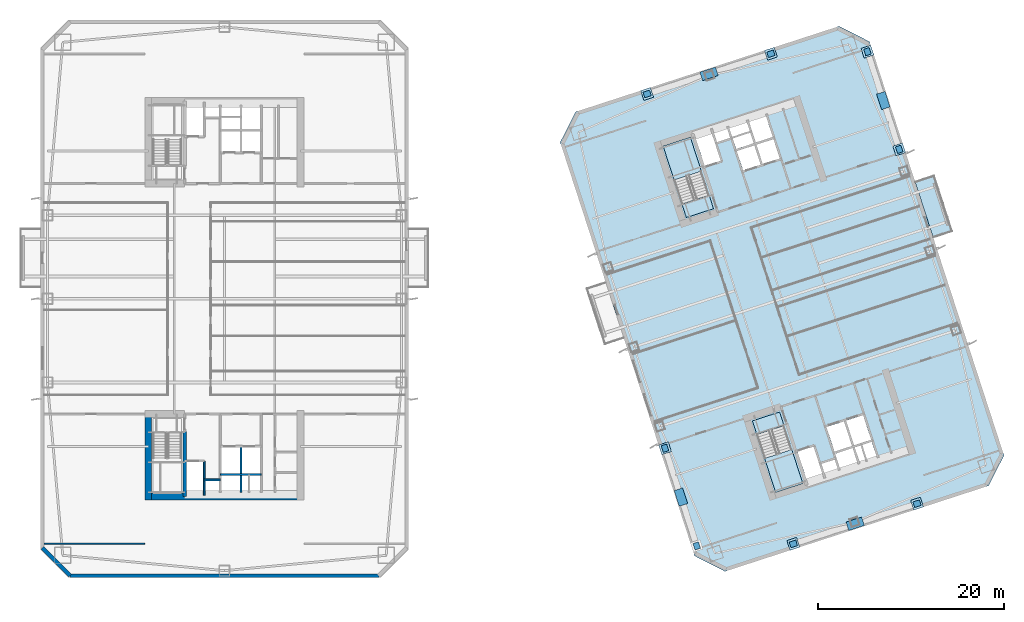
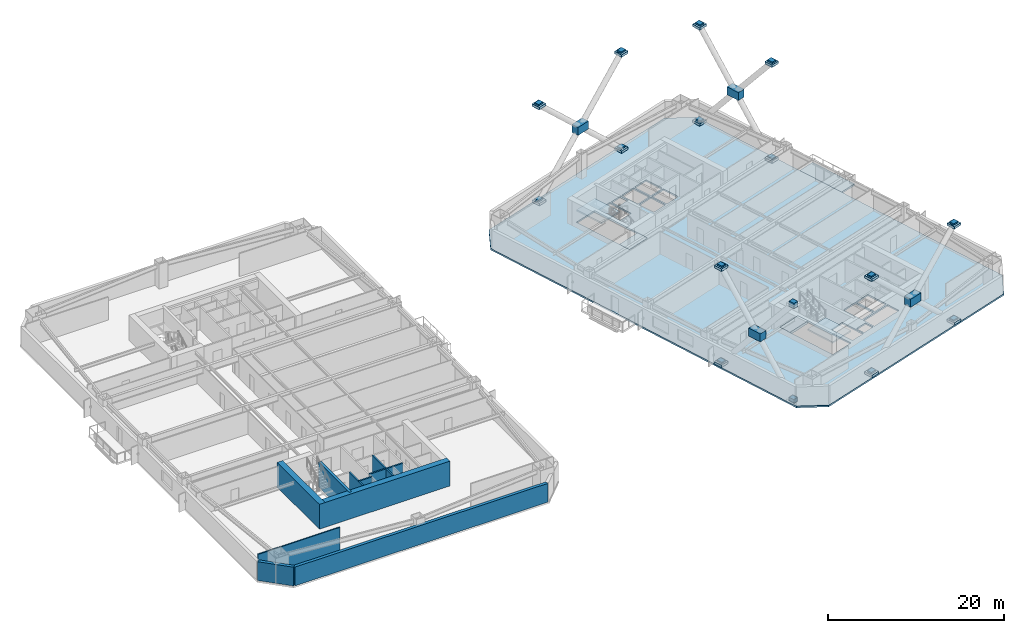
# One storey, part 5 of 19: 34 plates, 10 walls, 6 slabs, 2 elements without a shape of their own.
"""IFC4 building model written with IfcOpenShell, lengths in metres."""

import ifcopenshell
import ifcopenshell.guid

model = None  # the IFC model being written
_history = None  # IfcOwnerHistory: only IFC2X3 demands one
_inside = {}  # id of a spatial element -> (the spatial element, [elements in it])
_under = {}  # id of a project, library or spatial element -> (it, [spatial elements below it])
_declared = {}  # id of a project -> (the project, [libraries it declares])
_typed = {}  # id of a type object -> (the type object, [elements of that type])
_made_of = {}  # id of a material, layer set ... -> (it, [elements and type objects made of it])


def new_model(schema):
    """Start an empty IFC model of exactly this schema.

    Asked for "IFC4X3", IfcOpenShell would pick the latest addendum, in which some entities
    have other attributes; the version numbers below select the first issue.
    IFC2X3 requires an IfcOwnerHistory on every rooted entity: one is made here for all.
    """
    global model, _history
    if schema == "IFC4X3":
        model = ifcopenshell.file(schema_version=(4, 3, 0, 0))
    else:
        model = ifcopenshell.file(schema=schema)
    _inside.clear()
    _under.clear()
    _declared.clear()
    _typed.clear()
    _made_of.clear()
    _history = None
    if model.schema == "IFC2X3":
        org = make("IfcOrganization", Name="unknown")
        user = make(
            "IfcPersonAndOrganization",
            ThePerson=make("IfcPerson", FamilyName="unknown"),
            TheOrganization=org,
        )
        app = make(
            "IfcApplication",
            ApplicationDeveloper=org,
            Version="unknown",
            ApplicationFullName="unknown",
            ApplicationIdentifier="unknown",
        )
        _history = make(
            "IfcOwnerHistory",
            OwningUser=user,
            OwningApplication=app,
            ChangeAction="ADDED",
            CreationDate=0,
        )
    return model


def make(cls, **values):
    """One entity of the class cls with the attributes given. An attribute that is None is left unset."""
    return model.create_entity(
        cls, **{name: value for name, value in values.items() if value is not None}
    )


def rooted(cls, **values):
    """An entity with a GlobalId (a new one), such as an element, a storey or a relation."""
    return make(cls, GlobalId=ifcopenshell.guid.new(), OwnerHistory=_history, **values)


def si_unit(unit_type, name, prefix=None):
    """IfcSIUnit, for example si_unit("LENGTHUNIT", "METRE", prefix="MILLI")."""
    return make("IfcSIUnit", UnitType=unit_type, Prefix=prefix, Name=name)


def assignment(units):
    """IfcUnitAssignment: the units of a project."""
    return None if units is None else make("IfcUnitAssignment", Units=units)


def point(xyz):
    """IfcCartesianPoint."""
    return None if xyz is None else make("IfcCartesianPoint", Coordinates=xyz)


def direction(xyz):
    """IfcDirection."""
    return None if xyz is None else make("IfcDirection", DirectionRatios=xyz)


def frame(location, z_axis=None, x_axis=None):
    """IfcAxis2Placement3D, a coordinate frame: its origin and axes. An axis left out is left unset."""
    return make(
        "IfcAxis2Placement3D",
        Location=point(location),
        Axis=direction(z_axis),
        RefDirection=direction(x_axis),
    )


def frame_2d(location, x_axis=None):
    """IfcAxis2Placement2D, a coordinate frame in the plane: its origin and x axis."""
    return make(
        "IfcAxis2Placement2D", Location=point(location), RefDirection=direction(x_axis)
    )


def origin():
    """The frame at (0, 0, 0) with its axes left unset."""
    return frame((0.0, 0.0, 0.0))


def origin_2d():
    """The frame at (0, 0) in the plane with its x axis left unset."""
    return frame_2d((0.0, 0.0))


def place(relative_to, where):
    """IfcLocalPlacement: puts the frame where relative to a parent placement (None: the world)."""
    return make(
        "IfcLocalPlacement", PlacementRelTo=relative_to, RelativePlacement=where
    )


def context(
    kind, dimensions, precision=None, world=None, true_north=None, identifier=None
):
    """IfcGeometricRepresentationContext, for example the 3D "Model" context."""
    return make(
        "IfcGeometricRepresentationContext",
        ContextIdentifier=identifier,
        ContextType=kind,
        CoordinateSpaceDimension=dimensions,
        Precision=precision,
        WorldCoordinateSystem=world,
        TrueNorth=true_north,
    )


def subcontext(parent, identifier, kind, view, scale=None):
    """IfcGeometricRepresentationSubContext, for example "Body" below "Model"."""
    return make(
        "IfcGeometricRepresentationSubContext",
        ContextIdentifier=identifier,
        ContextType=kind,
        ParentContext=parent,
        TargetScale=scale,
        TargetView=view,
    )


def project(units=None, contexts=None):
    """IfcProject with its units and contexts."""
    return rooted(
        "IfcProject",
        Name="project",
        RepresentationContexts=contexts,
        UnitsInContext=assignment(units),
    )


def spatial(cls, under=None, at=None, **own):
    """A site, building, storey or space (cls), placed at a placement, below another one or the project."""
    s = rooted(cls, ObjectPlacement=at, **own)
    if under is not None:
        _under.setdefault(under.id(), (under, []))[1].append(s)
    return s


def polyline(points):
    """IfcPolyline through the points."""
    return make("IfcPolyline", Points=[point(p) for p in points])


def profile(cls, at=None, kind="AREA", **sizes):
    """A parametric profile (cls). Its sizes go by their IFC names, for example OverallWidth=200.0."""
    return make(cls, ProfileType=kind, Position=at, **sizes)


def rectangle(**sizes):
    """IfcRectangleProfileDef."""
    return profile("IfcRectangleProfileDef", **sizes)


def outline(outer, holes=None, kind="AREA"):
    """IfcArbitraryClosedProfileDef: a profile drawn as a closed curve; with holes, ...WithVoids."""
    if holes is None:
        return make("IfcArbitraryClosedProfileDef", ProfileType=kind, OuterCurve=outer)
    return make(
        "IfcArbitraryProfileDefWithVoids",
        ProfileType=kind,
        OuterCurve=outer,
        InnerCurves=holes,
    )


def extrude(swept, where, along, depth):
    """IfcExtrudedAreaSolid: the profile swept, set in the frame where, extruded along a direction by depth."""
    return make(
        "IfcExtrudedAreaSolid",
        SweptArea=swept,
        Position=where,
        ExtrudedDirection=direction(along),
        Depth=depth,
    )


def shape(context_of_items, identifier, shape_type, items):
    """IfcShapeRepresentation: the items that make up one representation, for example the "Body"."""
    return make(
        "IfcShapeRepresentation",
        ContextOfItems=context_of_items,
        RepresentationIdentifier=identifier,
        RepresentationType=shape_type,
        Items=items,
    )


def material(Name=None, Category=None):
    """IfcMaterial."""
    return make("IfcMaterial", Name=Name, Category=Category)


def layer(
    of_material, thickness, ventilated=None, Name=None, Category=None, Priority=None
):
    """IfcMaterialLayer: one layer of a wall or slab, of a material (None: an air gap)."""
    return make(
        "IfcMaterialLayer",
        Material=of_material,
        LayerThickness=thickness,
        IsVentilated=ventilated,
        Name=Name,
        Category=Category,
        Priority=Priority,
    )


def layer_set(layers, Name=None):
    """IfcMaterialLayerSet."""
    return make("IfcMaterialLayerSet", MaterialLayers=layers, LayerSetName=Name)


def made_of(thing, what):
    """Note that an element or type object is made of a material, layer set ...; save() writes the relation."""
    if what is not None:
        _made_of.setdefault(what.id(), (what, []))[1].append(thing)
    return thing


def type_object(cls, material=None, **own):
    """A type object (cls), such as IfcWallType, which elements share."""
    return made_of(rooted(cls, **own), material)


def element(
    cls,
    number,
    at=None,
    inside=None,
    cuts=None,
    type_object=None,
    material=None,
    context=None,
    identifier="Body",
    shape_type=None,
    held_by="IfcProductDefinitionShape",
    body=None,
    shapes=None,
    **own,
):
    """One element of the class cls, such as IfcWall. Its Tag is "e" and its number.

    at: its placement. inside: the storey or other place that contains it. cuts: it is an
    opening in that element (IfcRelVoidsElement). A single representation is given by context,
    identifier, shape_type and body (its items); several are given by shapes. held_by: the class
    of the entity that holds the representations. save() writes the other relations.
    """
    e = rooted(cls, Tag="e%d" % number, ObjectPlacement=at, **own)
    if body is not None:
        shapes = [shape(context, identifier, shape_type, body)]
    if shapes is not None:
        e.Representation = make(held_by, Representations=shapes)
    if inside is not None:
        _inside.setdefault(inside.id(), (inside, []))[1].append(e)
    if cuts is not None:
        rooted(
            "IfcRelVoidsElement", RelatingBuildingElement=cuts, RelatedOpeningElement=e
        )
    if type_object is not None:
        _typed.setdefault(type_object.id(), (type_object, []))[1].append(e)
    return made_of(e, material)


def aggregate(whole, parts):
    """IfcRelAggregates: a whole, such as a stair, and the parts it consists of."""
    return rooted("IfcRelAggregates", RelatingObject=whole, RelatedObjects=parts)


def save(model, path):
    """Write the relations noted so far, then the file.

    IfcRelAggregates (storeys below a building ...), IfcRelContainedInSpatialStructure (elements
    in a storey), IfcRelDefinesByType, IfcRelAssociatesMaterial and IfcRelDeclares: one each for
    every whole, place, type object, material and project.
    """
    for whole, parts in _under.values():
        aggregate(whole, parts)
    for where, things in _inside.values():
        rooted(
            "IfcRelContainedInSpatialStructure",
            RelatedElements=things,
            RelatingStructure=where,
        )
    for kind, things in _typed.values():
        rooted("IfcRelDefinesByType", RelatedObjects=things, RelatingType=kind)
    for what, things in _made_of.values():
        rooted("IfcRelAssociatesMaterial", RelatedObjects=things, RelatingMaterial=what)
    for by, libraries in _declared.values():
        rooted("IfcRelDeclares", RelatingContext=by, RelatedDefinitions=libraries)
    model.write(path)


model = new_model("IFC4")

# Units and contexts
model_context = context("Model", 3, precision=1e-05, world=origin(), true_north=direction((0.0, 1.0)))
body_context = subcontext(model_context, "Body", "Model", "MODEL_VIEW")
ifc_project = project(units=[si_unit("LENGTHUNIT", "METRE"), si_unit("AREAUNIT", "SQUARE_METRE"), si_unit("VOLUMEUNIT", "CUBIC_METRE"), si_unit("PLANEANGLEUNIT", "RADIAN"), si_unit("MASSUNIT", "GRAM", prefix="KILO")], contexts=[model_context])

# Site, building, storey
site_placement = place(None, origin())
site = spatial("IfcSite", under=ifc_project, at=site_placement, CompositionType="ELEMENT")
building_placement = place(site_placement, origin())
building = spatial("IfcBuilding", under=site, at=building_placement, Name="Qiaolan Cultural Towers", CompositionType="ELEMENT")
storey_placement = place(building_placement, frame((0.0, 0.0, 78.199951171875)))
storey = spatial("IfcBuildingStorey", under=building, at=storey_placement, Name="L19", CompositionType="ELEMENT", Elevation=78.199951171875)

# Plates
ifc_material_1 = material(Name="Steel Q355B", Category="steel")
ifc_layer_1 = layer(ifc_material_1, 0.035888671875)
ifc_layer_set_1 = layer_set([ifc_layer_1], Name="Steel Q355B")
plate_type_1 = type_object("IfcPlateType", Name="PL-CONN-36", PredefinedType="USERDEFINED", material=ifc_layer_set_1)
for number, where, z_axis, x_axis, name in (
    (1, (80.817138671875, 7.410888671875, -0.2197265625), (0.0, 0.0, 1.0), (-0.309016994375, 0.951056516295, 0.0), "L19 Brace End Connection Gusset Plate GP-02-0452"),
    (2, (77.40234375, 17.920166015625, 13.1298828125), (0.0, 0.0, 1.0), (-0.309016994375, 0.951056516295, 0.0), "L19 Brace End Connection Gusset Plate GP-02-0453"),
    (3, (77.40234375, 17.920166015625, -0.2197265625), (0.0, 0.0, 1.0), (-0.309016994375, 0.951056516295, 0.0), "L19 Brace End Connection Gusset Plate GP-02-0454"),
    (4, (80.817138671875, 7.410888671875, 13.1298828125), (0.0, 0.0, 1.0), (-0.309016994375, 0.951056516295, 0.0), "L19 Brace End Connection Gusset Plate GP-02-0455"),
    (5, (102.59765625, 50.079833984375, -0.2197265625), (0.0, 0.0, 1.0), (-0.309016994375, 0.951056516295, 0.0), "L19 Brace End Connection Gusset Plate GP-02-0456"),
    (6, (99.182861328125, 60.589111328125, 13.1298828125), (0.0, 0.0, 1.0), (-0.309016994375, 0.951056516295, 0.0), "L19 Brace End Connection Gusset Plate GP-02-0457"),
    (7, (99.182861328125, 60.589111328125, -0.2197265625), (0.0, 0.0, 1.0), (-0.309016994375, 0.951056516295, 0.0), "L19 Brace End Connection Gusset Plate GP-02-0458"),
    (8, (102.59765625, 50.079833984375, 13.1298828125), (0.0, 0.0, 1.0), (-0.309016994375, 0.951056516295, 0.0), "L19 Brace End Connection Gusset Plate GP-02-0459"),
    (9, (91.20703125, 7.632568359375, -0.2197265625), (0.0, 0.0, 1.0), (0.951056510902, 0.309017010974, 0.0), "L19 Brace End Connection Gusset Plate GP-02-0460"),
    (10, (104.52197265625, 11.958740234375, 13.1298828125), (0.0, 0.0, 1.0), (0.951056510902, 0.309017010974, 0.0), "L19 Brace End Connection Gusset Plate GP-02-0461"),
    (11, (104.52197265625, 11.958740234375, -0.2197265625), (0.0, 0.0, 1.0), (0.951056510902, 0.309017010974, 0.0), "L19 Brace End Connection Gusset Plate GP-02-0462"),
    (12, (91.20703125, 7.632568359375, 13.1298828125), (0.0, 0.0, 1.0), (0.951056510902, 0.309017010974, 0.0), "L19 Brace End Connection Gusset Plate GP-02-0463"),
    (13, (75.47802734375, 56.041259765625, -0.2197265625), (0.0, 0.0, 1.0), (0.951056510902, 0.309017010974, 0.0), "L19 Brace End Connection Gusset Plate GP-02-0464"),
    (14, (88.79296875, 60.367431640625, 13.1298828125), (0.0, 0.0, 1.0), (0.951056510902, 0.309017010974, 0.0), "L19 Brace End Connection Gusset Plate GP-02-0465"),
    (15, (88.79296875, 60.367431640625, -0.2197265625), (0.0, 0.0, 1.0), (0.951056510902, 0.309017010974, 0.0), "L19 Brace End Connection Gusset Plate GP-02-0466"),
    (16, (75.47802734375, 56.041259765625, 13.1298828125), (0.0, 0.0, 1.0), (0.951056510902, 0.309017010974, 0.0), "L19 Brace End Connection Gusset Plate GP-02-0467"),
):
    element("IfcPlate", number, at=place(storey_placement, frame(where, z_axis=z_axis, x_axis=x_axis)), inside=storey, type_object=plate_type_1, Name=name, ObjectType="GUSSET_PLATE", PredefinedType="USERDEFINED", context=body_context, shape_type="SweptSolid", body=[
        extrude(rectangle(XDim=0.739990234375, YDim=0.6201171875, at=origin_2d()), origin(), (0.0, 0.0, 1.0), 0.739990234375),
    ])
ifc_material_2 = material(Name="Steel Q355B", Category="steel")
ifc_layer_2 = layer(ifc_material_2, 0.030029296875)
ifc_layer_set_2 = layer_set([ifc_layer_2], Name="Steel Q355B")
plate_type_2 = type_object("IfcPlateType", Name="PL-ENDCAP-30", PredefinedType="USERDEFINED", material=ifc_layer_set_2)
for number, where, z_axis, x_axis, name in (
    (17, (77.40234375, 17.920166015625, -0.02490234375), (0.0, 0.0, 1.0), (-0.309016994375, 0.951056516295, 0.0), "Hollow Brace End Seal Cap Plate CP-01"),
    (18, (77.40234375, 17.920166015625, 13.324951171875), (0.0, 0.0, 1.0), (-0.309016994375, 0.951056516295, 0.0), "Hollow Brace End Seal Cap Plate CP-01"),
    (19, (102.59765625, 50.079833984375, -0.02490234375), (0.0, 0.0, 1.0), (-0.309016994375, 0.951056516295, 0.0), "Hollow Brace End Seal Cap Plate CP-01"),
    (20, (99.182861328125, 60.589111328125, -0.02490234375), (0.0, 0.0, 1.0), (-0.309016994375, 0.951056516295, 0.0), "Hollow Brace End Seal Cap Plate CP-01"),
    (21, (102.59765625, 50.079833984375, 13.324951171875), (0.0, 0.0, 1.0), (-0.309016994375, 0.951056516295, 0.0), "Hollow Brace End Seal Cap Plate CP-01"),
    (22, (99.182861328125, 60.589111328125, 13.324951171875), (0.0, 0.0, 1.0), (-0.309016994375, 0.951056516295, 0.0), "Hollow Brace End Seal Cap Plate CP-01"),
    (23, (91.20703125, 7.632568359375, -0.02490234375), (0.0, 0.0, 1.0), (0.951056516295, 0.309016994375, 0.0), "Hollow Brace End Seal Cap Plate CP-01"),
    (24, (104.52197265625, 11.958740234375, -0.02490234375), (0.0, 0.0, 1.0), (0.951056516295, 0.309016994375, 0.0), "Hollow Brace End Seal Cap Plate CP-01"),
    (25, (91.20703125, 7.632568359375, 13.324951171875), (0.0, 0.0, 1.0), (0.951056516295, 0.309016994375, 0.0), "Hollow Brace End Seal Cap Plate CP-01"),
    (26, (104.52197265625, 11.958740234375, 13.324951171875), (0.0, 0.0, 1.0), (0.951056516295, 0.309016994375, 0.0), "Hollow Brace End Seal Cap Plate CP-01"),
    (27, (75.47802734375, 56.041259765625, -0.02490234375), (0.0, 0.0, 1.0), (0.951056516295, 0.309016994375, 0.0), "Hollow Brace End Seal Cap Plate CP-01"),
    (28, (88.79296875, 60.367431640625, -0.02490234375), (0.0, 0.0, 1.0), (0.951056516295, 0.309016994375, 0.0), "Hollow Brace End Seal Cap Plate CP-01"),
    (29, (75.47802734375, 56.041259765625, 13.324951171875), (0.0, 0.0, 1.0), (0.951056516295, 0.309016994375, 0.0), "Hollow Brace End Seal Cap Plate CP-01"),
    (30, (88.79296875, 60.367431640625, 13.324951171875), (0.0, 0.0, 1.0), (0.951056516295, 0.309016994375, 0.0), "Hollow Brace End Seal Cap Plate CP-01"),
):
    element("IfcPlate", number, at=place(storey_placement, frame(where, z_axis=z_axis, x_axis=x_axis)), inside=storey, type_object=plate_type_2, Name=name, ObjectType="BASE_PLATE", PredefinedType="USERDEFINED", context=body_context, shape_type="SweptSolid", body=[
        extrude(rectangle(XDim=1.10009765625, YDim=1.10009765625, at=origin_2d()), origin(), (0.0, 0.0, 1.0), 0.35009765625),
    ])
ifc_material_3 = material(Name="Steel Q390GJB", Category="steel")
ifc_layer_3 = layer(ifc_material_3, 0.0419921875)
ifc_layer_set_3 = layer_set([ifc_layer_3], Name="Steel Q390GJB")
plate_type_3 = type_object("IfcPlateType", Name="PL-NODE-ND01", PredefinedType="USERDEFINED", material=ifc_layer_set_3)
plate_1_placement = place(storey_placement, frame((82.135498046875, 58.204345703125, 6.27490234375), z_axis=(0.0, 0.0, 1.0), x_axis=(0.951056516295, 0.309016994375, 0.0)))
element("IfcPlate", 31, at=plate_1_placement, inside=storey, type_object=plate_type_3, Name="Perimeter Frame Gusset Node Assembly ND-01", ObjectType="GUSSET_PLATE", PredefinedType="USERDEFINED", context=body_context, shape_type="SweptSolid", body=[
    extrude(rectangle(XDim=1.760009765625, YDim=0.9599609375, at=origin_2d()), origin(), (0.0, 0.0, 1.0), 1.10009765625),
])
ifc_material_4 = material(Name="Steel Q390GJB", Category="steel")
ifc_layer_4 = layer(ifc_material_4, 0.0439453125)
ifc_layer_set_4 = layer_set([ifc_layer_4], Name="Steel Q390GJB")
plate_type_4 = type_object("IfcPlateType", Name="PL-NODE-ND10", PredefinedType="USERDEFINED", material=ifc_layer_set_4)
plate_2_placement = place(storey_placement, frame((79.109619140625, 12.66552734375, 6.27490234375), z_axis=(0.0, 0.0, 1.0), x_axis=(-0.309016994375, 0.951056516295, 0.0)))
element("IfcPlate", 32, at=plate_2_placement, inside=storey, type_object=plate_type_4, Name="Perimeter Frame Gusset Node Assembly ND-10", ObjectType="GUSSET_PLATE", PredefinedType="USERDEFINED", context=body_context, shape_type="SweptSolid", body=[
    extrude(rectangle(XDim=1.760009765625, YDim=0.9599609375, at=origin_2d()), origin(), (0.0, 0.0, 1.0), 1.10009765625),
])
ifc_material_5 = material(Name="Steel Q390GJB", Category="steel")
ifc_layer_5 = layer(ifc_material_5, 0.0458984375)
ifc_layer_set_5 = layer_set([ifc_layer_5], Name="Steel Q390GJB")
plate_type_5 = type_object("IfcPlateType", Name="PL-NODE-ND11", PredefinedType="USERDEFINED", material=ifc_layer_set_5)
plate_3_placement = place(storey_placement, frame((100.890380859375, 55.33447265625, 6.27490234375), z_axis=(0.0, 0.0, 1.0), x_axis=(-0.309016994375, 0.951056516295, 0.0)))
element("IfcPlate", 33, at=plate_3_placement, inside=storey, type_object=plate_type_5, Name="Perimeter Frame Gusset Node Assembly ND-11", ObjectType="GUSSET_PLATE", PredefinedType="USERDEFINED", context=body_context, shape_type="SweptSolid", body=[
    extrude(rectangle(XDim=1.760009765625, YDim=0.9599609375, at=origin_2d()), origin(), (0.0, 0.0, 1.0), 1.10009765625),
])
ifc_material_6 = material(Name="Steel Q390GJB", Category="steel")
ifc_layer_6 = layer(ifc_material_6, 0.0400390625)
ifc_layer_set_6 = layer_set([ifc_layer_6], Name="Steel Q390GJB")
plate_type_6 = type_object("IfcPlateType", Name="PL-NODE-ND12", PredefinedType="USERDEFINED", material=ifc_layer_set_6)
plate_4_placement = place(storey_placement, frame((97.864501953125, 9.795654296875, 6.27490234375), z_axis=(0.0, 0.0, 1.0), x_axis=(0.951056516295, 0.309016994375, 0.0)))
element("IfcPlate", 34, at=plate_4_placement, inside=storey, type_object=plate_type_6, Name="Perimeter Frame Gusset Node Assembly ND-12", ObjectType="GUSSET_PLATE", PredefinedType="USERDEFINED", context=body_context, shape_type="SweptSolid", body=[
    extrude(rectangle(XDim=1.760009765625, YDim=0.9599609375, at=origin_2d()), origin(), (0.0, 0.0, 1.0), 1.10009765625),
])

# Slab
ifc_material_7 = material(Name="Concrete C45", Category="concrete")
ifc_layer_7 = layer(ifc_material_7, 0.239990234375)
ifc_layer_set_7 = layer_set([ifc_layer_7], Name="Concrete C45")
slab_type_1 = type_object("IfcSlabType", Name="SL-BAL-240", PredefinedType="FLOOR", material=ifc_layer_set_7)
slab_1_placement = place(storey_placement, frame((0.0, 0.0, -0.239990234375)))
element("IfcSlab", 35, at=slab_1_placement, inside=storey, type_object=slab_type_1, Name="L19 T2 Planted Tree Balcony E", PredefinedType="FLOOR", context=body_context, shape_type="SweptSolid", body=[
    extrude(outline(polyline([(106.272705078125, 40.549072265625), (108.364990234375, 41.22900390625), (106.38720703125, 47.315673828125), (104.294921875, 46.6357421875), (106.272705078125, 40.549072265625)])), origin(), (0.0, 0.0, 1.0), 0.239990234375),
])

# Stair, slab
ifc_material_8 = material(Name="Concrete C45", Category="concrete")
stair_type = type_object("IfcStairType", Name="STR-CORE-1500", PredefinedType="HALF_TURN_STAIR", material=ifc_material_8)
stair_1_placement = place(storey_placement, origin())
stair_1 = element("IfcStair", 36, at=stair_1_placement, inside=storey, type_object=stair_type, Name="L19 Smokeproof Exit Stair ST-E1", PredefinedType="HALF_TURN_STAIR")
ifc_material_9 = material(Name="Concrete C45", Category="concrete")
ifc_layer_8 = layer(ifc_material_9, 0.199951171875)
ifc_layer_set_8 = layer_set([ifc_layer_8], Name="Concrete C45")
slab_type_2 = type_object("IfcSlabType", Name="SL-STAIR-LAND", PredefinedType="LANDING", material=ifc_layer_set_8)
slab_2_placement = place(storey_placement, frame((0.0, 0.0, 1.525146484375)))
slab_2 = element("IfcSlab", 37, at=slab_2_placement, type_object=slab_type_2, Name="ST-E1 landing 1", PredefinedType="LANDING", context=body_context, shape_type="SweptSolid", body=[
    extrude(outline(polyline([(88.114013671875, 16.828125), (89.30419921875, 13.165283203125), (92.2333984375, 14.116943359375), (91.04345703125, 17.77978515625), (88.114013671875, 16.828125)])), origin(), (0.0, 0.0, 1.0), 0.199951171875),
])
aggregate(stair_1, [slab_2])

stair_2_placement = place(storey_placement, origin())
stair_2 = element("IfcStair", 38, at=stair_2_placement, inside=storey, type_object=stair_type, Name="L19 Smokeproof Exit Stair ST-E2", PredefinedType="HALF_TURN_STAIR")
slab_3_placement = place(storey_placement, frame((0.0, 0.0, 1.525146484375)))
slab_3 = element("IfcSlab", 39, at=slab_3_placement, type_object=slab_type_2, Name="ST-E2 landing 1", PredefinedType="LANDING", context=body_context, shape_type="SweptSolid", body=[
    extrude(outline(polyline([(81.31005859375, 47.735595703125), (80.1201171875, 51.3984375), (77.190673828125, 50.44677734375), (78.380859375, 46.783935546875), (81.31005859375, 47.735595703125)])), origin(), (0.0, 0.0, 1.0), 0.199951171875),
])
aggregate(stair_2, [slab_3])

# Slabs
ifc_material_10 = material(Name="Concrete C40", Category="concrete")
ifc_layer_9 = layer(ifc_material_10, 0.360107421875)
ifc_layer_set_9 = layer_set([ifc_layer_9], Name="Concrete C40")
slab_type_3 = type_object("IfcSlabType", Name="SL-STFLR-360", PredefinedType="LANDING", material=ifc_layer_set_9)
slab_4_placement = place(storey_placement, frame((0.0, 0.0, -0.35986328125)))
element("IfcSlab", 40, at=slab_4_placement, inside=storey, type_object=slab_type_3, Name="L19 ST-E1 Stair Floor Landing Slab", PredefinedType="LANDING", context=body_context, shape_type="SweptSolid", body=[
    extrude(outline(polyline([(86.8037109375, 20.867431640625), (87.282470703125, 19.39404296875), (90.2080078125, 20.3447265625), (89.729248046875, 21.818115234375), (86.8037109375, 20.867431640625)])), origin(), (0.0, 0.0, 1.0), 0.35986328125),
])
slab_5_placement = place(storey_placement, frame((0.0, 0.0, -0.35986328125)))
element("IfcSlab", 41, at=slab_5_placement, inside=storey, type_object=slab_type_3, Name="L19 ST-E2 Stair Floor Landing Slab", PredefinedType="LANDING", context=body_context, shape_type="SweptSolid", body=[
    extrude(outline(polyline([(82.62060546875, 43.6962890625), (82.141845703125, 45.169677734375), (79.21630859375, 44.21923828125), (79.695068359375, 42.74560546875), (82.62060546875, 43.6962890625)])), origin(), (0.0, 0.0, 1.0), 0.35986328125),
])
ifc_material_11 = material(Name="Concrete C45", Category="concrete")
ifc_layer_10 = layer(ifc_material_11, 0.219970703125)
ifc_layer_set_10 = layer_set([ifc_layer_10], Name="Concrete C45")
slab_type_4 = type_object("IfcSlabType", Name="SL-TYP-220", PredefinedType="FLOOR", material=ifc_layer_set_10)
slab_6_placement = place(storey_placement, frame((0.0, 0.0, -0.219970703125)))
element("IfcSlab", 42, at=slab_6_placement, inside=storey, type_object=slab_type_4, Name="L19 East Tower Floor Slab", PredefinedType="FLOOR", context=body_context, shape_type="SweptSolid", body=[
    extrude(outline(polyline([(83.86376953125, 4.668212890625), (112.205078125, 13.876953125), (113.87451171875, 17.153076171875), (99.41259765625, 61.66259765625), (96.13623046875, 63.331787109375), (67.794921875, 54.123046875), (66.12548828125, 50.846923828125), (80.58740234375, 6.33740234375), (83.86376953125, 4.668212890625)]), holes=[polyline([(86.80126953125, 20.868896484375), (89.30419921875, 13.165283203125), (92.2333984375, 14.116943359375), (89.73046875, 21.820556640625), (86.80126953125, 20.868896484375)]), polyline([(82.623046875, 43.69482421875), (80.1201171875, 51.3984375), (77.190673828125, 50.44677734375), (79.69384765625, 42.7431640625), (82.623046875, 43.69482421875)]), polyline([(92.666259765625, 14.468017578125), (94.42578125, 15.03955078125), (93.42138671875, 18.130615234375), (91.661865234375, 17.558837890625), (92.666259765625, 14.468017578125)]), polyline([(94.5908203125, 15.14599609375), (96.027099609375, 15.612548828125), (95.66552734375, 16.725341796875), (94.2294921875, 16.258544921875), (94.5908203125, 15.14599609375)]), polyline([(95.643310546875, 17.5380859375), (97.54541015625, 18.15625), (96.68017578125, 20.819091796875), (94.77783203125, 20.201171875), (95.643310546875, 17.5380859375)]), polyline([(97.735595703125, 18.218017578125), (99.58056640625, 18.8173828125), (98.71533203125, 21.48046875), (96.870361328125, 20.880859375), (97.735595703125, 18.218017578125)]), polyline([(96.245849609375, 15.68359375), (100.18310546875, 16.962890625), (99.6484375, 18.608154296875), (95.711181640625, 17.328857421875), (96.245849609375, 15.68359375)]), polyline([(81.6806640625, 48.278076171875), (83.440185546875, 48.849609375), (82.435791015625, 51.940673828125), (80.67626953125, 51.368896484375), (81.6806640625, 48.278076171875)]), polyline([(82.993408203125, 50.839111328125), (84.4296875, 51.3056640625), (84.068115234375, 52.41845703125), (82.632080078125, 51.95166015625), (82.993408203125, 50.839111328125)]), polyline([(85.810302734375, 47.80078125), (87.71240234375, 48.418701171875), (87.013916015625, 50.568115234375), (85.11181640625, 49.9501953125), (85.810302734375, 47.80078125)]), polyline([(87.902587890625, 48.480712890625), (89.74755859375, 49.080078125), (89.04931640625, 51.2294921875), (87.2041015625, 50.6298828125), (87.902587890625, 48.480712890625)]), polyline([(85.05322265625, 50.130859375), (86.936279296875, 50.74267578125), (86.169921875, 53.101318359375), (84.286865234375, 52.489501953125), (85.05322265625, 50.130859375)]), polyline([(87.1455078125, 50.810791015625), (88.990478515625, 51.41015625), (88.22412109375, 53.768798828125), (86.379150390625, 53.169189453125), (87.1455078125, 50.810791015625)])]), origin(), (0.0, 0.0, 1.0), 0.219970703125),
])

# Walls
ifc_material_12 = material(Name="Concrete C50", Category="concrete")
ifc_layer_11 = layer(ifc_material_12, 0.35009765625)
ifc_layer_set_11 = layer_set([ifc_layer_11], Name="Concrete C50")
wall_type_1 = type_object("IfcWallType", Name="WL-CORE-350", PredefinedType="SHEAR", material=ifc_layer_set_11)
wall_1_placement = place(storey_placement, frame((25.719970703125, 19.699951171875, 0.0), z_axis=(0.0, 0.0, 1.0), x_axis=(0.0, -1.0, 0.0)))
element("IfcWall", 43, at=wall_1_placement, inside=storey, type_object=wall_type_1, Name="L19 T1-CS Stair Core Dividing Web", PredefinedType="SHEAR", context=body_context, shape_type="SweptSolid", body=[
    extrude(rectangle(XDim=6.97998046875, YDim=0.35009765625, at=frame_2d((3.489990234375, 0.0))), origin(), (0.0, 0.0, 1.0), 3.449951171875),
])
ifc_material_13 = material(Name="Concrete C60", Category="concrete")
ifc_layer_12 = layer(ifc_material_13, 0.75)
ifc_layer_set_12 = layer_set([ifc_layer_12], Name="Concrete C60")
wall_type_2 = type_object("IfcWallType", Name="WL-CORE-750", PredefinedType="SHEAR", material=ifc_layer_set_12)
wall_2_placement = place(storey_placement, frame((21.425048828125, 12.719970703125, 0.0), z_axis=(0.0, 0.0, 1.0), x_axis=(1.0, 0.0, 0.0)))
element("IfcWall", 44, at=wall_2_placement, inside=storey, type_object=wall_type_2, Name="L19 T1-CS Outer Core Shear Wall", PredefinedType="SHEAR", context=body_context, shape_type="SweptSolid", body=[
    extrude(rectangle(XDim=17.14990234375, YDim=0.75, at=frame_2d((8.574951171875, 0.0))), origin(), (0.0, 0.0, 1.0), 3.449951171875),
])
wall_3_placement = place(storey_placement, frame((21.800048828125, 21.97509765625, 0.0), z_axis=(0.0, 0.0, 1.0), x_axis=(0.0, -1.0, 0.0)))
element("IfcWall", 45, at=wall_3_placement, inside=storey, type_object=wall_type_2, Name="L19 T1-CS West Core Shear Wall", PredefinedType="SHEAR", context=body_context, shape_type="SweptSolid", body=[
    extrude(rectangle(XDim=9.630126953125, YDim=0.75, at=frame_2d((4.81494140625, 0.0))), origin(), (0.0, 0.0, 1.0), 3.449951171875),
])
ifc_material_14 = material(Name="Precast Concrete C50 Honed Stone Pier", Category="masonry")
ifc_layer_13 = layer(ifc_material_14, 0.39990234375)
ifc_layer_set_13 = layer_set([ifc_layer_13], Name="Precast Concrete C50 Honed Stone Pier")
wall_type_3 = type_object("IfcWallType", Name="WL-EXT-PIER-400", PredefinedType="SOLIDWALL", material=ifc_layer_set_13)
wall_4_placement = place(storey_placement, frame((46.60009765625, 4.199951171875, 0.0), z_axis=(0.0, 0.0, 1.0), x_axis=(-1.0, 0.0, 0.0)))
element("IfcWall", 46, at=wall_4_placement, inside=storey, type_object=wall_type_3, Name="L19 West Tower Precast Pier Facade Wall F7", PredefinedType="SOLIDWALL", context=body_context, shape_type="SweptSolid", body=[
    extrude(rectangle(XDim=33.2001953125, YDim=0.39990234375, at=frame_2d((16.60009765625, 0.0))), origin(), (0.0, 0.0, 1.0), 2.610107421875),
])
wall_5_placement = place(storey_placement, frame((13.39990234375, 4.199951171875, 0.0), z_axis=(0.0, 0.0, 1.0), x_axis=(-0.707106781187, 0.707106781187, 0.0)))
element("IfcWall", 47, at=wall_5_placement, inside=storey, type_object=wall_type_3, Name="L19 West Tower Precast Pier Facade Wall F8", PredefinedType="SOLIDWALL", context=body_context, shape_type="SweptSolid", body=[
    extrude(rectangle(XDim=4.24267578125, YDim=0.39990234375, at=frame_2d((2.121337890625, 0.0))), origin(), (0.0, 0.0, 1.0), 2.610107421875),
])
ifc_material_15 = material(Name="Concrete C35 Fire Wall", Category="concrete")
ifc_layer_14 = layer(ifc_material_15, 0.199951171875)
ifc_layer_set_14 = layer_set([ifc_layer_14], Name="Concrete C35 Fire Wall")
wall_type_4 = type_object("IfcWallType", Name="WL-FIRE-200", PredefinedType="PARTITIONING", material=ifc_layer_set_14)
wall_6_placement = place(storey_placement, frame((27.820068359375, 16.550048828125, 0.0), z_axis=(0.0, 0.0, 1.0), x_axis=(0.0, -1.0, 0.0)))
element("IfcWall", 48, at=wall_6_placement, inside=storey, type_object=wall_type_4, Name="L19 T1-CS Firefighting Hoistway East Wall", PredefinedType="PARTITIONING", context=body_context, shape_type="SweptSolid", body=[
    extrude(rectangle(XDim=3.699951171875, YDim=0.199951171875, at=frame_2d((1.85009765625, 0.0))), origin(), (0.0, 0.0, 1.0), 3.175048828125),
])
wall_7_placement = place(storey_placement, frame((27.820068359375, 14.52001953125, 0.0), z_axis=(0.0, 0.0, 1.0), x_axis=(1.0, 0.0, 0.0)))
element("IfcWall", 49, at=wall_7_placement, inside=storey, type_object=wall_type_4, Name="L19 T1-CS Pressurization Shaft Front Wall", PredefinedType="PARTITIONING", context=body_context, shape_type="SweptSolid", body=[
    extrude(rectangle(XDim=1.72998046875, YDim=0.199951171875, at=frame_2d((0.864990234375, 0.0))), origin(), (0.0, 0.0, 1.0), 3.175048828125),
])
wall_8_placement = place(storey_placement, frame((31.780029296875, 18.1201171875, 0.0), z_axis=(0.0, 0.0, 1.0), x_axis=(0.0, -1.0, 0.0)))
element("IfcWall", 50, at=wall_8_placement, inside=storey, type_object=wall_type_4, Name="L19 T1-CS Lift Shaft Divider Wall", PredefinedType="PARTITIONING", context=body_context, shape_type="SweptSolid", body=[
    extrude(rectangle(XDim=4.9501953125, YDim=0.199951171875, at=frame_2d((2.47509765625, 0.0))), origin(), (0.0, 0.0, 1.0), 3.175048828125),
])
wall_9_placement = place(storey_placement, frame((29.550048828125, 15.10009765625, 0.0), z_axis=(0.0, 0.0, 1.0), x_axis=(1.0, 0.0, 0.0)))
element("IfcWall", 51, at=wall_9_placement, inside=storey, type_object=wall_type_4, Name="L19 T1-CS Passenger Lift Shaft Back Wall", PredefinedType="PARTITIONING", context=body_context, shape_type="SweptSolid", body=[
    extrude(rectangle(XDim=4.39990234375, YDim=0.199951171875, at=frame_2d((2.199951171875, 0.0))), origin(), (0.0, 0.0, 1.0), 3.175048828125),
])
ifc_material_16 = material(Name="Autoclaved Aerated Concrete Block B06", Category="concrete")
ifc_layer_15 = layer(ifc_material_16, 0.14990234375)
ifc_layer_set_15 = layer_set([ifc_layer_15], Name="Autoclaved Aerated Concrete Block B06")
wall_type_5 = type_object("IfcWallType", Name="WL-PART-150", PredefinedType="PARTITIONING", material=ifc_layer_set_15)
wall_10_placement = place(storey_placement, frame((10.60009765625, 7.64990234375, 0.0), z_axis=(0.0, 0.0, 1.0), x_axis=(1.0, 0.0, 0.0)))
element("IfcWall", 52, at=wall_10_placement, inside=storey, type_object=wall_type_5, Name="L19 T1 Flank Wall FLK-SW", PredefinedType="PARTITIONING", context=body_context, shape_type="SweptSolid", body=[
    extrude(rectangle(XDim=10.7998046875, YDim=0.14990234375, at=frame_2d((5.39990234375, 0.0))), origin(), (0.0, 0.0, 1.0), 3.175048828125),
])

save(model, "model.ifc")
